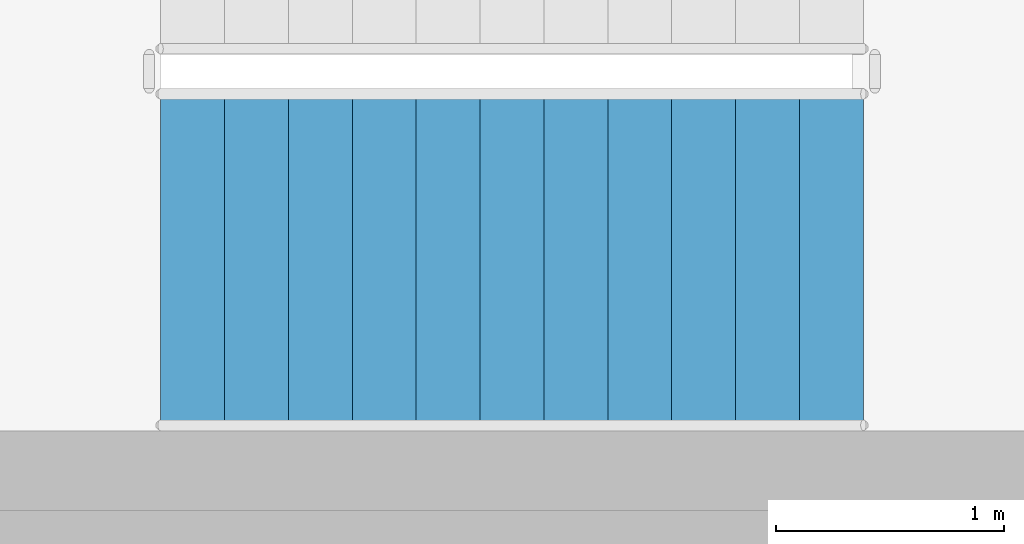
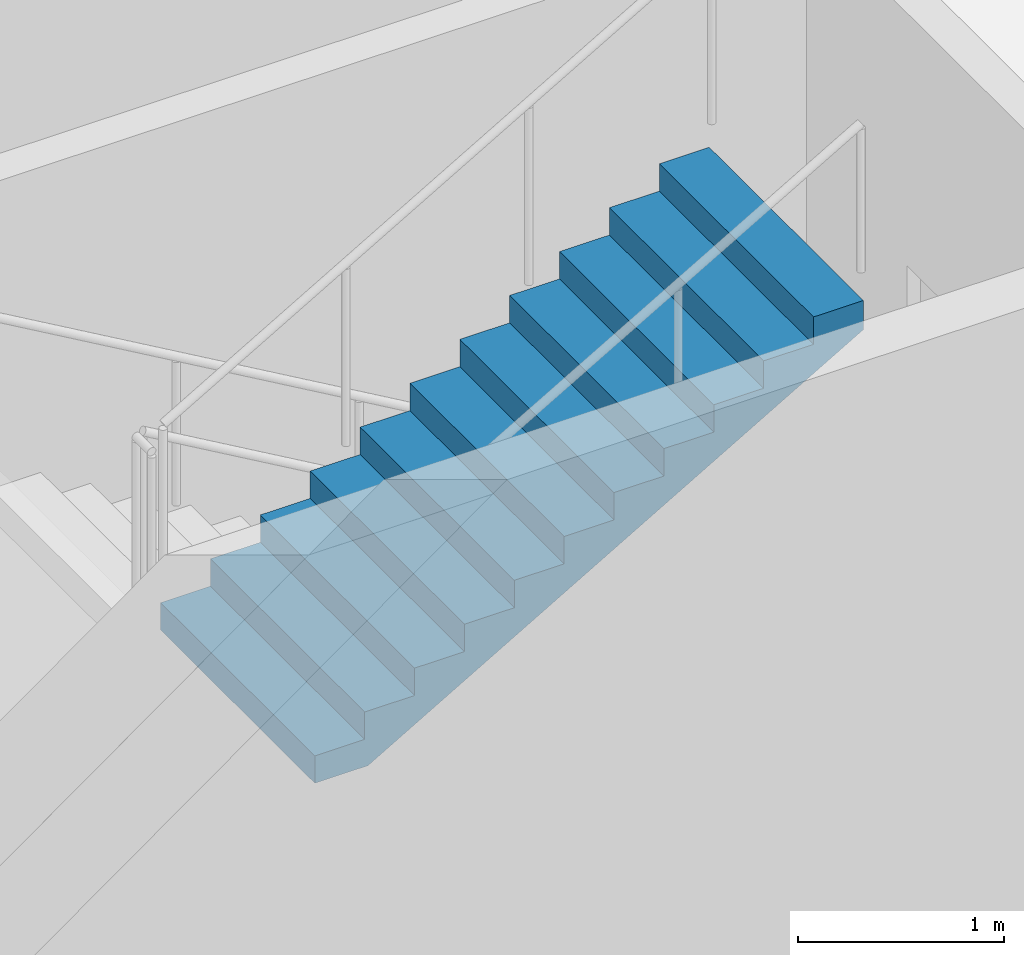
# One storey, part 73 of 95: 1 stair flight, 1 element without a shape of its own.
"""IFC4 building model written with IfcOpenShell, lengths in metres."""

from ifc_helpers import new_model, si_unit, direction, frame, origin, place, context, subcontext, project, spatial, triangles, material, type_object, element, aggregate, save


model = new_model("IFC4")

# Units and contexts
model_context = context("Model", 3, precision=1e-05, world=origin(), true_north=direction((0.0, 1.0)))
body_context = subcontext(model_context, "Body", "Model", "MODEL_VIEW")
ifc_project = project(units=[si_unit("LENGTHUNIT", "METRE"), si_unit("AREAUNIT", "SQUARE_METRE"), si_unit("VOLUMEUNIT", "CUBIC_METRE"), si_unit("PLANEANGLEUNIT", "RADIAN"), si_unit("MASSUNIT", "GRAM", prefix="KILO")], contexts=[model_context])

# Site, building, storey
site_placement = place(None, origin())
site = spatial("IfcSite", under=ifc_project, at=site_placement, CompositionType="ELEMENT")
building_placement = place(site_placement, origin())
building = spatial("IfcBuilding", under=site, at=building_placement, Name="Magnolia Steps Interchange", CompositionType="ELEMENT")
storey_placement = place(building_placement, frame((0.0, 0.0, 4.800048828125)))
storey = spatial("IfcBuildingStorey", under=building, at=storey_placement, Name="L01", CompositionType="ELEMENT", Elevation=4.800048828125)

# Stair, stair flight
ifc_material_1 = material(Name="Concrete C40", Category="concrete")
stair_type = type_object("IfcStairType", Name="Exit stair 1500", PredefinedType="HALF_TURN_STAIR", material=ifc_material_1)
stair_placement = place(storey_placement, origin())
stair = element("IfcStair", 1, at=stair_placement, inside=storey, type_object=stair_type, Name="L01 Stair 1", PredefinedType="HALF_TURN_STAIR")
ifc_material_2 = material(Name="Concrete C40", Category="concrete")
stair_flight_type = type_object("IfcStairFlightType", Name="Exit stair flight", PredefinedType="STRAIGHT", material=ifc_material_2)
stair_flight_placement = place(storey_placement, frame((55.919921875, 76.050048828125, 1.949951171875), z_axis=(0.0, 0.0, 1.0), x_axis=(1.0, 0.0, 0.0)))
stair_flight = element("IfcStairFlight", 2, at=stair_flight_placement, type_object=stair_flight_type, Name="Stair 1 flight 2", NumberOfRisers=12, NumberOfTreads=11, PredefinedType="STRAIGHT", RiserHeight=0.1625, TreadLength=0.28, context=body_context, shape_type="Tessellation", body=[
    triangles([(0.0, -0.75, 0.0), (0.298583984375, -0.75, 0.0), (3.080078125, -0.75, 1.6142578125), (3.080078125, -0.75, 1.78759765625), (2.800048828125, -0.75, 1.78759765625), (2.800048828125, -0.75, 1.625), (2.52001953125, -0.75, 1.625), (2.52001953125, -0.75, 1.46240234375), (2.239990234375, -0.75, 1.46240234375), (2.239990234375, -0.75, 1.300048828125), (1.9599609375, -0.75, 1.300048828125), (1.9599609375, -0.75, 1.137451171875), (1.679931640625, -0.75, 1.137451171875), (1.679931640625, -0.75, 0.97509765625), (1.39990234375, -0.75, 0.97509765625), (1.39990234375, -0.75, 0.8125), (1.1201171875, -0.75, 0.8125), (1.1201171875, -0.75, 0.64990234375), (0.840087890625, -0.75, 0.64990234375), (0.840087890625, -0.75, 0.487548828125), (0.56005859375, -0.75, 0.487548828125), (0.56005859375, -0.75, 0.324951171875), (0.280029296875, -0.75, 0.324951171875), (0.280029296875, -0.75, 0.16259765625), (0.0, -0.75, 0.16259765625), (0.0, 0.75, 0.0), (0.298583984375, 0.75, 0.0), (3.080078125, 0.75, 1.6142578125), (3.080078125, 0.75, 1.78759765625), (2.800048828125, 0.75, 1.78759765625), (2.800048828125, 0.75, 1.625), (2.52001953125, 0.75, 1.625), (2.52001953125, 0.75, 1.46240234375), (2.239990234375, 0.75, 1.46240234375), (2.239990234375, 0.75, 1.300048828125), (1.9599609375, 0.75, 1.300048828125), (1.9599609375, 0.75, 1.137451171875), (1.679931640625, 0.75, 1.137451171875), (1.679931640625, 0.75, 0.97509765625), (1.39990234375, 0.75, 0.97509765625), (1.39990234375, 0.75, 0.8125), (1.1201171875, 0.75, 0.8125), (1.1201171875, 0.75, 0.64990234375), (0.840087890625, 0.75, 0.64990234375), (0.840087890625, 0.75, 0.487548828125), (0.56005859375, 0.75, 0.487548828125), (0.56005859375, 0.75, 0.324951171875), (0.280029296875, 0.75, 0.324951171875), (0.280029296875, 0.75, 0.16259765625), (0.0, 0.75, 0.16259765625), (0.0, 0.0, 0.0), (0.0, 0.0, 0.0406494140625), (0.0, 0.0, 0.081298828125), (0.0, 0.0, 0.1219482421875), (0.0, 0.0, 0.16259765625), (0.0, -0.05, 0.0), (0.0, -0.05, 0.16259765625), (0.0, 0.05, 0.0), (0.0, 0.05, 0.16259765625), (0.046671549479166664, 0.0, 0.16259765625), (0.09334309895833333, 0.0, 0.16259765625), (0.1400146484375, 0.0, 0.16259765625), (0.18668619791666666, 0.0, 0.16259765625), (0.23335774739583334, 0.0, 0.16259765625), (0.280029296875, 0.0, 0.16259765625), (0.280029296875, -0.05, 0.16259765625), (0.280029296875, 0.05, 0.16259765625), (0.280029296875, 0.0, 0.20318603515625), (0.280029296875, 0.0, 0.2437744140625), (0.280029296875, 0.0, 0.28436279296875), (0.280029296875, 0.0, 0.324951171875), (0.280029296875, -0.05, 0.324951171875), (0.280029296875, 0.05, 0.324951171875), (0.3267008463541667, 0.0, 0.324951171875), (0.3733723958333333, 0.0, 0.324951171875), (0.4200439453125, 0.0, 0.324951171875), (0.46671549479166663, 0.0, 0.324951171875), (0.5133870442708334, 0.0, 0.324951171875), (0.56005859375, 0.0, 0.324951171875), (0.56005859375, -0.05, 0.324951171875), (0.56005859375, 0.05, 0.324951171875), (0.56005859375, 0.0, 0.3656005859375), (0.56005859375, 0.0, 0.40625), (0.56005859375, 0.0, 0.4468994140625), (0.56005859375, 0.0, 0.487548828125), (0.56005859375, -0.05, 0.487548828125), (0.56005859375, 0.05, 0.487548828125), (0.6067301432291666, 0.0, 0.487548828125), (0.6534016927083334, 0.0, 0.487548828125), (0.7000732421875, 0.0, 0.487548828125), (0.7467447916666666, 0.0, 0.487548828125), (0.7934163411458334, 0.0, 0.487548828125), (0.840087890625, 0.0, 0.487548828125), (0.840087890625, -0.05, 0.487548828125), (0.840087890625, 0.05, 0.487548828125), (0.840087890625, 0.0, 0.52813720703125), (0.840087890625, 0.0, 0.5687255859375), (0.840087890625, 0.0, 0.60931396484375), (0.840087890625, 0.0, 0.64990234375), (0.840087890625, -0.05, 0.64990234375), (0.840087890625, 0.05, 0.64990234375), (0.8867594401041666, 0.0, 0.64990234375), (0.9334309895833334, 0.0, 0.64990234375), (0.9801025390625, 0.0, 0.64990234375), (1.0267740885416667, 0.0, 0.64990234375), (1.0734456380208333, 0.0, 0.64990234375), (1.1201171875, 0.0, 0.64990234375), (1.1201171875, -0.05, 0.64990234375), (1.1201171875, 0.05, 0.64990234375), (1.1201171875, 0.0, 0.6905517578125), (1.1201171875, 0.0, 0.731201171875), (1.1201171875, 0.0, 0.7718505859375), (1.1201171875, 0.0, 0.8125), (1.1201171875, -0.05, 0.8125), (1.1201171875, 0.05, 0.8125), (1.1900634765625, 0.0, 0.8125), (1.260009765625, 0.0, 0.8125), (1.3299560546875, 0.0, 0.8125), (1.39990234375, 0.0, 0.8125), (1.39990234375, -0.05, 0.8125), (1.39990234375, 0.05, 0.8125), (1.39990234375, 0.0, 0.8531494140625), (1.39990234375, 0.0, 0.893798828125), (1.39990234375, 0.0, 0.9344482421875), (1.39990234375, 0.0, 0.97509765625), (1.39990234375, -0.05, 0.97509765625), (1.39990234375, 0.05, 0.97509765625), (1.4465738932291667, 0.0, 0.97509765625), (1.4932454427083333, 0.0, 0.97509765625), (1.5399169921875, 0.0, 0.97509765625), (1.5865885416666667, 0.0, 0.97509765625), (1.6332600911458333, 0.0, 0.97509765625), (1.679931640625, 0.0, 0.97509765625), (1.679931640625, -0.05, 0.97509765625), (1.679931640625, 0.05, 0.97509765625), (1.679931640625, 0.0, 1.01568603515625), (1.679931640625, 0.0, 1.0562744140625), (1.679931640625, 0.0, 1.09686279296875), (1.679931640625, 0.0, 1.137451171875), (1.679931640625, -0.05, 1.137451171875), (1.679931640625, 0.05, 1.137451171875), (1.7266031901041667, 0.0, 1.137451171875), (1.7732747395833333, 0.0, 1.137451171875), (1.8199462890625, 0.0, 1.137451171875), (1.8666178385416667, 0.0, 1.137451171875), (1.9132893880208333, 0.0, 1.137451171875), (1.9599609375, 0.0, 1.137451171875), (1.9599609375, -0.05, 1.137451171875), (1.9599609375, 0.05, 1.137451171875), (1.9599609375, 0.0, 1.1781005859375), (1.9599609375, 0.0, 1.21875), (1.9599609375, 0.0, 1.2593994140625), (1.9599609375, 0.0, 1.300048828125), (1.9599609375, -0.05, 1.300048828125), (1.9599609375, 0.05, 1.300048828125), (2.0066324869791665, 0.0, 1.300048828125), (2.0533040364583335, 0.0, 1.300048828125), (2.0999755859375, 0.0, 1.300048828125), (2.1466471354166665, 0.0, 1.300048828125), (2.1933186848958335, 0.0, 1.300048828125), (2.239990234375, 0.0, 1.300048828125), (2.239990234375, -0.05, 1.300048828125), (2.239990234375, 0.05, 1.300048828125), (2.239990234375, 0.0, 1.34063720703125), (2.239990234375, 0.0, 1.3812255859375), (2.239990234375, 0.0, 1.42181396484375), (2.239990234375, 0.0, 1.46240234375), (2.239990234375, -0.05, 1.46240234375), (2.239990234375, 0.05, 1.46240234375), (2.2866617838541665, 0.0, 1.46240234375), (2.3333333333333335, 0.0, 1.46240234375), (2.3800048828125, 0.0, 1.46240234375), (2.4266764322916665, 0.0, 1.46240234375), (2.4733479817708335, 0.0, 1.46240234375), (2.52001953125, 0.0, 1.46240234375), (2.52001953125, -0.05, 1.46240234375), (2.52001953125, 0.05, 1.46240234375), (2.52001953125, 0.0, 1.5030517578125), (2.52001953125, 0.0, 1.543701171875), (2.52001953125, 0.0, 1.5843505859375), (2.52001953125, 0.0, 1.625), (2.52001953125, -0.05, 1.625), (2.52001953125, 0.05, 1.625), (2.5666910807291665, 0.0, 1.625), (2.6133626302083335, 0.0, 1.625), (2.6600341796875, 0.0, 1.625), (2.7067057291666665, 0.0, 1.625), (2.7533772786458335, 0.0, 1.625), (2.800048828125, 0.0, 1.625), (2.800048828125, -0.05, 1.625), (2.800048828125, 0.05, 1.625), (2.800048828125, 0.0, 1.6656494140625), (2.800048828125, 0.0, 1.706298828125), (2.800048828125, 0.0, 1.7469482421875), (2.800048828125, 0.0, 1.78759765625), (2.800048828125, -0.05, 1.78759765625), (2.800048828125, 0.05, 1.78759765625), (2.8467203776041665, 0.0, 1.78759765625), (2.8933919270833335, 0.0, 1.78759765625), (2.9400634765625, 0.0, 1.78759765625), (2.9867350260416665, 0.0, 1.78759765625), (3.0334065755208335, 0.0, 1.78759765625), (3.080078125, 0.0, 1.78759765625), (3.080078125, -0.05, 1.78759765625), (3.080078125, 0.05, 1.78759765625), (3.080078125, 0.0, 1.7442626953125), (3.080078125, 0.0, 1.700927734375), (3.080078125, 0.0, 1.6575927734375), (3.080078125, 0.0, 1.6142578125), (3.080078125, -0.05, 1.6142578125), (3.080078125, 0.05, 1.6142578125), (3.0196108610733696, 0.0, 1.5791652513586956), (2.9591435971467392, 0.0, 1.5440726902173914), (2.898676333220109, 0.0, 1.508980129076087), (2.8382090692934785, 0.0, 1.4738875679347827), (2.7777418053668477, 0.0, 1.4387950067934783), (2.7172745414402173, 0.0, 1.4037024456521738), (2.656807277513587, 0.0, 1.3686098845108696), (2.5963400135869565, 0.0, 1.3335173233695652), (2.535872749660326, 0.0, 1.2984247622282608), (2.475405485733696, 0.0, 1.2633322010869565), (2.4149382218070654, 0.0, 1.228239639945652), (2.3544709578804346, 0.0, 1.193147078804348), (2.294003693953804, 0.0, 1.1580545176630435), (2.233536430027174, 0.0, 1.1229619565217392), (2.1730691661005435, 0.0, 1.0878693953804348), (2.112601902173913, 0.0, 1.0527768342391304), (2.0521346382472827, 0.0, 1.0176842730978262), (1.991667374320652, 0.0, 0.9825917119565217), (1.9312001103940217, 0.0, 0.9474991508152174), (1.8707328464673914, 0.0, 0.9124065896739131), (1.810265582540761, 0.0, 0.8773140285326086), (1.7497983186141304, 0.0, 0.8422214673913043), (1.6893310546875, 0.0, 0.80712890625), (1.6288637907608696, 0.0, 0.7720363451086957), (1.568396526834239, 0.0, 0.7369437839673914), (1.5079292629076086, 0.0, 0.7018512228260869), (1.4474619989809783, 0.0, 0.6667586616847826), (1.386994735054348, 0.0, 0.6316661005434783), (1.3265274711277173, 0.0, 0.5965735394021738), (1.266060207201087, 0.0, 0.5614809782608696), (1.2055929432744565, 0.0, 0.5263884171195652), (1.1451256793478262, 0.0, 0.491295855978261), (1.0846584154211956, 0.0, 0.45620329483695654), (1.0241911514945654, 0.0, 0.4211107336956521), (0.9637238875679346, 0.0, 0.3860181725543479), (0.9032566236413042, 0.0, 0.35092561141304346), (0.8427893597146738, 0.0, 0.315833050271739), (0.7823220957880435, 0.0, 0.2807404891304348), (0.7218548318614131, 0.0, 0.24564792798913038), (0.6613875679347827, 0.0, 0.21055536684782616), (0.6009203040081523, 0.0, 0.17546280570652173), (0.540453040081522, 0.0, 0.1403702445652173), (0.47998577615489113, 0.0, 0.10527768342391308), (0.41951851222826075, 0.0, 0.07018512228260865), (0.3590512483016304, 0.0, 0.035092561141304435), (0.298583984375, 0.0, 0.0), (0.298583984375, -0.05, 0.0), (0.298583984375, 0.05, 0.0), (0.24881998697916666, 0.0, 0.0), (0.19905598958333331, 0.0, 0.0), (0.1492919921875, 0.0, 0.0), (0.09952799479166666, 0.0, 0.0), (0.04976399739583334, 0.0, 0.0)], [[1, 2, 3], [3, 4, 5], [3, 5, 6], [3, 6, 7], [3, 7, 8], [8, 9, 10], [3, 8, 10], [10, 11, 12], [3, 10, 12], [12, 13, 14], [3, 12, 14], [14, 15, 16], [3, 14, 16], [16, 17, 18], [3, 16, 18], [18, 19, 20], [3, 18, 20], [20, 21, 22], [3, 20, 22], [1, 3, 22], [22, 23, 24], [1, 22, 24], [24, 25, 1], [26, 28, 27], [28, 30, 29], [28, 31, 30], [28, 32, 31], [28, 33, 32], [33, 35, 34], [28, 35, 33], [35, 37, 36], [28, 37, 35], [37, 39, 38], [28, 39, 37], [39, 41, 40], [28, 41, 39], [41, 43, 42], [28, 43, 41], [43, 45, 44], [28, 45, 43], [45, 47, 46], [28, 47, 45], [26, 47, 28], [47, 49, 48], [26, 49, 47], [49, 26, 50], [1, 25, 57], [1, 57, 56], [56, 52, 51], [56, 53, 52], [56, 57, 53], [57, 54, 53], [57, 55, 54], [26, 59, 50], [26, 58, 59], [58, 51, 52], [58, 52, 53], [58, 53, 59], [59, 53, 54], [59, 54, 55], [25, 24, 66], [25, 66, 57], [57, 60, 55], [57, 61, 60], [57, 62, 61], [57, 66, 62], [66, 63, 62], [66, 64, 63], [66, 65, 64], [50, 67, 49], [50, 59, 67], [59, 55, 60], [59, 60, 61], [59, 61, 62], [59, 62, 67], [67, 62, 63], [67, 63, 64], [67, 64, 65], [24, 23, 72], [24, 72, 66], [66, 68, 65], [66, 69, 68], [66, 72, 69], [72, 70, 69], [72, 71, 70], [49, 73, 48], [49, 67, 73], [67, 65, 68], [67, 68, 69], [67, 69, 73], [73, 69, 70], [73, 70, 71], [23, 22, 80], [23, 80, 72], [72, 74, 71], [72, 75, 74], [72, 76, 75], [72, 80, 76], [80, 77, 76], [80, 78, 77], [80, 79, 78], [48, 81, 47], [48, 73, 81], [73, 71, 74], [73, 74, 75], [73, 75, 76], [73, 76, 81], [81, 76, 77], [81, 77, 78], [81, 78, 79], [22, 21, 86], [22, 86, 80], [80, 82, 79], [80, 83, 82], [80, 86, 83], [86, 84, 83], [86, 85, 84], [47, 87, 46], [47, 81, 87], [81, 79, 82], [81, 82, 83], [81, 83, 87], [87, 83, 84], [87, 84, 85], [21, 20, 94], [21, 94, 86], [86, 88, 85], [86, 89, 88], [86, 90, 89], [86, 94, 90], [94, 91, 90], [94, 92, 91], [94, 93, 92], [46, 95, 45], [46, 87, 95], [87, 85, 88], [87, 88, 89], [87, 89, 90], [87, 90, 95], [95, 90, 91], [95, 91, 92], [95, 92, 93], [20, 19, 100], [20, 100, 94], [94, 96, 93], [94, 97, 96], [94, 100, 97], [100, 98, 97], [100, 99, 98], [45, 101, 44], [45, 95, 101], [95, 93, 96], [95, 96, 97], [95, 97, 101], [101, 97, 98], [101, 98, 99], [19, 18, 108], [19, 108, 100], [100, 102, 99], [100, 103, 102], [100, 104, 103], [100, 108, 104], [108, 105, 104], [108, 106, 105], [108, 107, 106], [44, 109, 43], [44, 101, 109], [101, 99, 102], [101, 102, 103], [101, 103, 104], [101, 104, 109], [109, 104, 105], [109, 105, 106], [109, 106, 107], [18, 17, 114], [18, 114, 108], [108, 110, 107], [108, 111, 110], [108, 114, 111], [114, 112, 111], [114, 113, 112], [43, 115, 42], [43, 109, 115], [109, 107, 110], [109, 110, 111], [109, 111, 115], [115, 111, 112], [115, 112, 113], [17, 16, 120], [17, 120, 114], [114, 116, 113], [114, 117, 116], [114, 120, 117], [120, 118, 117], [120, 119, 118], [42, 121, 41], [42, 115, 121], [115, 113, 116], [115, 116, 117], [115, 117, 121], [121, 117, 118], [121, 118, 119], [16, 15, 126], [16, 126, 120], [120, 122, 119], [120, 123, 122], [120, 126, 123], [126, 124, 123], [126, 125, 124], [41, 127, 40], [41, 121, 127], [121, 119, 122], [121, 122, 123], [121, 123, 127], [127, 123, 124], [127, 124, 125], [15, 14, 134], [15, 134, 126], [126, 128, 125], [126, 129, 128], [126, 130, 129], [126, 134, 130], [134, 131, 130], [134, 132, 131], [134, 133, 132], [40, 135, 39], [40, 127, 135], [127, 125, 128], [127, 128, 129], [127, 129, 130], [127, 130, 135], [135, 130, 131], [135, 131, 132], [135, 132, 133], [14, 13, 140], [14, 140, 134], [134, 136, 133], [134, 137, 136], [134, 140, 137], [140, 138, 137], [140, 139, 138], [39, 141, 38], [39, 135, 141], [135, 133, 136], [135, 136, 137], [135, 137, 141], [141, 137, 138], [141, 138, 139], [13, 12, 148], [13, 148, 140], [140, 142, 139], [140, 143, 142], [140, 144, 143], [140, 148, 144], [148, 145, 144], [148, 146, 145], [148, 147, 146], [38, 149, 37], [38, 141, 149], [141, 139, 142], [141, 142, 143], [141, 143, 144], [141, 144, 149], [149, 144, 145], [149, 145, 146], [149, 146, 147], [12, 11, 154], [12, 154, 148], [148, 150, 147], [148, 151, 150], [148, 154, 151], [154, 152, 151], [154, 153, 152], [37, 155, 36], [37, 149, 155], [149, 147, 150], [149, 150, 151], [149, 151, 155], [155, 151, 152], [155, 152, 153], [11, 10, 162], [11, 162, 154], [154, 156, 153], [154, 157, 156], [154, 158, 157], [154, 162, 158], [162, 159, 158], [162, 160, 159], [162, 161, 160], [36, 163, 35], [36, 155, 163], [155, 153, 156], [155, 156, 157], [155, 157, 158], [155, 158, 163], [163, 158, 159], [163, 159, 160], [163, 160, 161], [10, 9, 168], [10, 168, 162], [162, 164, 161], [162, 165, 164], [162, 168, 165], [168, 166, 165], [168, 167, 166], [35, 169, 34], [35, 163, 169], [163, 161, 164], [163, 164, 165], [163, 165, 169], [169, 165, 166], [169, 166, 167], [9, 8, 176], [9, 176, 168], [168, 170, 167], [168, 171, 170], [168, 172, 171], [168, 176, 172], [176, 173, 172], [176, 174, 173], [176, 175, 174], [34, 177, 33], [34, 169, 177], [169, 167, 170], [169, 170, 171], [169, 171, 172], [169, 172, 177], [177, 172, 173], [177, 173, 174], [177, 174, 175], [8, 7, 182], [8, 182, 176], [176, 178, 175], [176, 179, 178], [176, 182, 179], [182, 180, 179], [182, 181, 180], [33, 183, 32], [33, 177, 183], [177, 175, 178], [177, 178, 179], [177, 179, 183], [183, 179, 180], [183, 180, 181], [7, 6, 190], [7, 190, 182], [182, 184, 181], [182, 185, 184], [182, 186, 185], [182, 190, 186], [190, 187, 186], [190, 188, 187], [190, 189, 188], [32, 191, 31], [32, 183, 191], [183, 181, 184], [183, 184, 185], [183, 185, 186], [183, 186, 191], [191, 186, 187], [191, 187, 188], [191, 188, 189], [6, 5, 196], [6, 196, 190], [190, 192, 189], [190, 193, 192], [190, 196, 193], [196, 194, 193], [196, 195, 194], [31, 197, 30], [31, 191, 197], [191, 189, 192], [191, 192, 193], [191, 193, 197], [197, 193, 194], [197, 194, 195], [5, 4, 204], [5, 204, 196], [196, 198, 195], [196, 199, 198], [196, 200, 199], [196, 204, 200], [204, 201, 200], [204, 202, 201], [204, 203, 202], [30, 205, 29], [30, 197, 205], [197, 195, 198], [197, 198, 199], [197, 199, 200], [197, 200, 205], [205, 200, 201], [205, 201, 202], [205, 202, 203], [4, 3, 210], [4, 210, 204], [204, 206, 203], [204, 207, 206], [204, 210, 207], [210, 208, 207], [210, 209, 208], [29, 211, 28], [29, 205, 211], [205, 203, 206], [205, 206, 207], [205, 207, 211], [211, 207, 208], [211, 208, 209], [3, 2, 258], [3, 258, 210], [210, 212, 209], [210, 213, 212], [210, 214, 213], [210, 215, 214], [210, 216, 215], [210, 217, 216], [210, 218, 217], [210, 219, 218], [210, 220, 219], [210, 221, 220], [210, 222, 221], [210, 223, 222], [210, 224, 223], [210, 225, 224], [210, 226, 225], [210, 227, 226], [210, 228, 227], [210, 229, 228], [210, 230, 229], [210, 231, 230], [210, 232, 231], [210, 233, 232], [210, 234, 233], [210, 258, 234], [258, 235, 234], [258, 236, 235], [258, 237, 236], [258, 238, 237], [258, 239, 238], [258, 240, 239], [258, 241, 240], [258, 242, 241], [258, 243, 242], [258, 244, 243], [258, 245, 244], [258, 246, 245], [258, 247, 246], [258, 248, 247], [258, 249, 248], [258, 250, 249], [258, 251, 250], [258, 252, 251], [258, 253, 252], [258, 254, 253], [258, 255, 254], [258, 256, 255], [258, 257, 256], [28, 259, 27], [28, 211, 259], [211, 209, 212], [211, 212, 213], [211, 213, 214], [211, 214, 215], [211, 215, 216], [211, 216, 217], [211, 217, 218], [211, 218, 219], [211, 219, 220], [211, 220, 221], [211, 221, 222], [211, 222, 223], [211, 223, 224], [211, 224, 225], [211, 225, 226], [211, 226, 227], [211, 227, 228], [211, 228, 229], [211, 229, 230], [211, 230, 231], [211, 231, 232], [211, 232, 233], [211, 233, 234], [211, 234, 259], [259, 234, 235], [259, 235, 236], [259, 236, 237], [259, 237, 238], [259, 238, 239], [259, 239, 240], [259, 240, 241], [259, 241, 242], [259, 242, 243], [259, 243, 244], [259, 244, 245], [259, 245, 246], [259, 246, 247], [259, 247, 248], [259, 248, 249], [259, 249, 250], [259, 250, 251], [259, 251, 252], [259, 252, 253], [259, 253, 254], [259, 254, 255], [259, 255, 256], [259, 256, 257], [2, 1, 56], [2, 56, 258], [258, 260, 257], [258, 261, 260], [258, 262, 261], [258, 56, 262], [56, 263, 262], [56, 264, 263], [56, 51, 264], [27, 58, 26], [27, 259, 58], [259, 257, 260], [259, 260, 261], [259, 261, 262], [259, 262, 58], [58, 262, 263], [58, 263, 264], [58, 264, 51]], closed=True),
])
aggregate(stair, [stair_flight])

save(model, "model.ifc")
